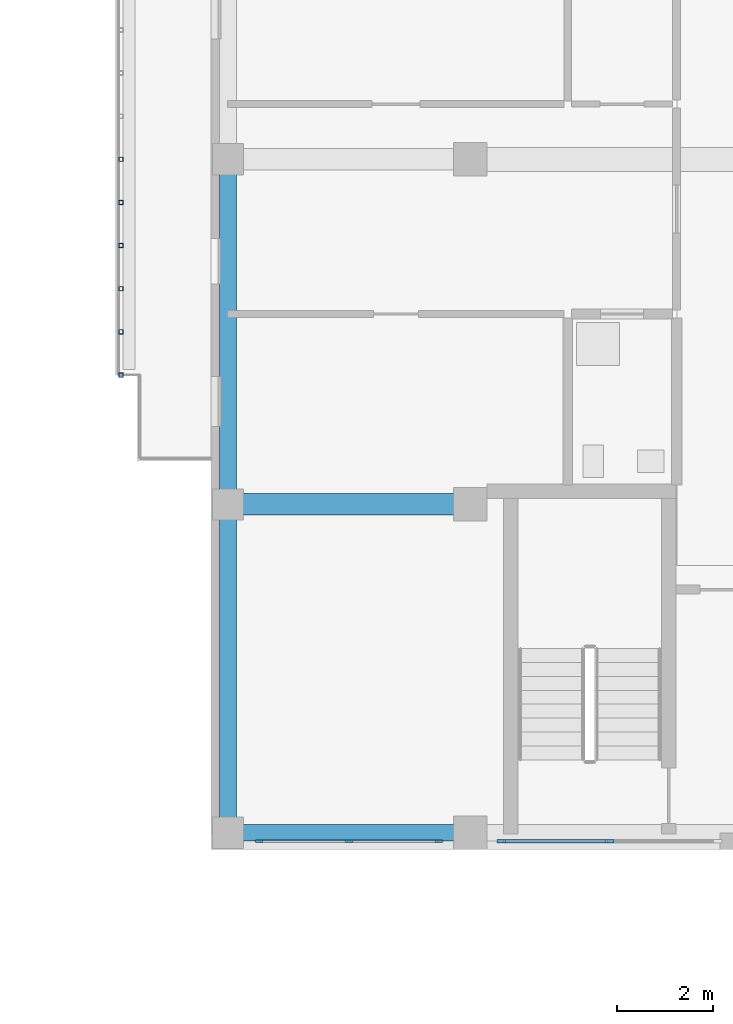
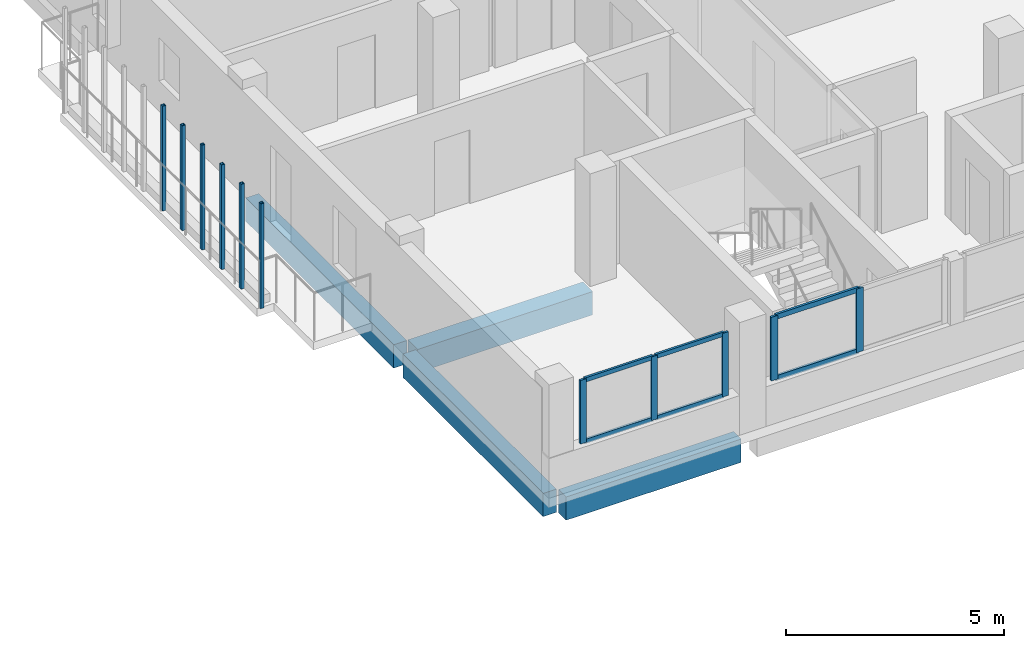
# One storey, part 17 of 56: 17 members, 4 beams, 2 elements without a shape of their own.
"""IFC4 building model written with IfcOpenShell, lengths in metres."""

from ifc_helpers import new_model, si_unit, derived_unit, direction, frame, origin, origin_2d, place, context, subcontext, project, spatial, rectangle, hollow_rectangle, extrude, material, layer, layer_set, material_profile, profile_set, type_object, element, aggregate, save


model = new_model("IFC4")

# Units and contexts
model_context = context("Model", 3, precision=1e-05, world=origin(), true_north=direction((0.0, 1.0)))
body_context = subcontext(model_context, "Body", "Model", "MODEL_VIEW")
ifc_project = project(units=[si_unit("LENGTHUNIT", "METRE"), si_unit("AREAUNIT", "SQUARE_METRE"), si_unit("VOLUMEUNIT", "CUBIC_METRE"), si_unit("PLANEANGLEUNIT", "RADIAN"), si_unit("MASSUNIT", "GRAM", prefix="KILO"), derived_unit("THERMALTRANSMITTANCEUNIT", [(si_unit("MASSUNIT", "GRAM", prefix="KILO"), 1), (si_unit("TIMEUNIT", "SECOND"), -3), (si_unit("THERMODYNAMICTEMPERATUREUNIT", "KELVIN"), -1)])], contexts=[model_context])

# Site, building, storey
site_placement = place(None, origin())
site = spatial("IfcSite", under=ifc_project, at=site_placement, CompositionType="ELEMENT")
building_placement = place(site_placement, origin())
building = spatial("IfcBuilding", under=site, at=building_placement, Name="Ochrekiln Boulevard Commons", CompositionType="ELEMENT")
storey_placement = place(building_placement, frame((0.0, 0.0, 12.074951171875)))
storey = spatial("IfcBuildingStorey", under=building, at=storey_placement, Name="L03", CompositionType="ELEMENT", Elevation=12.074951171875)

# Beam
ifc_material_1 = material(Name="Concrete C35/45", Category="concrete")
ifc_material_profile_1 = material_profile(ifc_material_1, rectangle(XDim=0.449951171875, YDim=0.64990234375, at=origin_2d()), Name="RC-BM-450x650")
ifc_profile_set_1 = profile_set([ifc_material_profile_1], Name="Concrete C35/45")
beam_type_1 = type_object("IfcBeamType", Name="BM-RC-450x650", PredefinedType="BEAM", material=ifc_profile_set_1)
beam_1_placement = place(storey_placement, frame((151.760009765625, 75.60009765625, -0.5849609375), z_axis=(1.0, 0.0, 0.0), x_axis=(0.0, 1.0, 0.0)))
element("IfcBeam", 1, at=beam_1_placement, inside=storey, type_object=beam_type_1, Name="Block B L03 Beam B-4565 X4", PredefinedType="BEAM", context=body_context, shape_type="SweptSolid", body=[
    extrude(rectangle(XDim=0.449951171875, YDim=0.64990234375, at=origin_2d()), origin(), (0.0, 0.0, 1.0), 4.6298828125),
])

# Curtain wall, members
ifc_material_2 = material(Name="Bronze-anodized extruded aluminium 6063-T6", Category="aluminium")
ifc_layer = layer(ifc_material_2, 0.18408203125)
ifc_layer_set = layer_set([ifc_layer], Name="Bronze-anodized extruded aluminium 6063-T6")
curtain_wall_type = type_object("IfcCurtainWallType", Name="CW-GABLE-B", PredefinedType="USERDEFINED", material=ifc_layer_set)
curtain_wall_1_placement = place(storey_placement, origin())
curtain_wall_1 = element("IfcCurtainWall", 2, at=curtain_wall_1_placement, inside=storey, type_object=curtain_wall_type, Name="Block B L03 Courtyard Glazed Gable Curtain Wall 1", ObjectType="GLAZED CURTAIN WALL", PredefinedType="USERDEFINED")
ifc_material_profile_2 = material_profile(ifc_material_2, rectangle(XDim=0.06005859375, YDim=0.159912109375, at=origin_2d()), Name="ALU-MUL-60x160")
ifc_profile_set_2 = profile_set([ifc_material_profile_2], Name="Bronze-anodized extruded aluminium 6063-T6")
member_type_1 = type_object("IfcMemberType", Name="CWM-60x160", PredefinedType="MULLION", material=ifc_profile_set_2)
member_1_placement = place(storey_placement, frame((152.199951171875, 68.570068359375, 1.110107421875), z_axis=(0.0, 0.0, 1.0), x_axis=(0.0, 1.0, 0.0)))
member_1 = element("IfcMember", 3, at=member_1_placement, type_object=member_type_1, Name="CW-02 mullion 1", PredefinedType="MULLION", context=body_context, shape_type="SweptSolid", body=[
    extrude(rectangle(XDim=0.06005859375, YDim=0.159912109375, at=origin_2d()), origin(), (0.0, 0.0, 1.0), 1.780029296875),
])
member_2_placement = place(storey_placement, frame((154.074951171875, 68.570068359375, 1.110107421875), z_axis=(0.0, 0.0, 1.0), x_axis=(0.0, 1.0, 0.0)))
member_2 = element("IfcMember", 4, at=member_2_placement, type_object=member_type_1, Name="CW-02 mullion 2", PredefinedType="MULLION", context=body_context, shape_type="SweptSolid", body=[
    extrude(rectangle(XDim=0.06005859375, YDim=0.159912109375, at=origin_2d()), origin(), (0.0, 0.0, 1.0), 1.780029296875),
])
member_3_placement = place(storey_placement, frame((155.949951171875, 68.570068359375, 1.110107421875), z_axis=(0.0, 0.0, 1.0), x_axis=(0.0, 1.0, 0.0)))
member_3 = element("IfcMember", 5, at=member_3_placement, type_object=member_type_1, Name="CW-02 mullion 3", PredefinedType="MULLION", context=body_context, shape_type="SweptSolid", body=[
    extrude(rectangle(XDim=0.06005859375, YDim=0.159912109375, at=origin_2d()), origin(), (0.0, 0.0, 1.0), 1.780029296875),
])

curtain_wall_2_placement = place(storey_placement, origin())
curtain_wall_2 = element("IfcCurtainWall", 6, at=curtain_wall_2_placement, inside=storey, type_object=curtain_wall_type, Name="Block B L03 Courtyard Glazed Gable Curtain Wall 2", ObjectType="GLAZED CURTAIN WALL", PredefinedType="USERDEFINED")
ifc_material_profile_3 = material_profile(ifc_material_2, rectangle(XDim=0.06494140625, YDim=0.179931640625, at=origin_2d()), Name="ALU-MUL-65x180")
ifc_profile_set_3 = profile_set([ifc_material_profile_3], Name="Bronze-anodized extruded aluminium 6063-T6")
member_type_2 = type_object("IfcMemberType", Name="CWM-65x180", PredefinedType="MULLION", material=ifc_profile_set_3)
member_4_placement = place(storey_placement, frame((157.25244140625, 68.570068359375, 1.110107421875), z_axis=(0.0, 0.0, 1.0), x_axis=(0.0, 1.0, 0.0)))
member_4 = element("IfcMember", 7, at=member_4_placement, type_object=member_type_2, Name="CW-02 mullion 1", PredefinedType="MULLION", context=body_context, shape_type="SweptSolid", body=[
    extrude(rectangle(XDim=0.06494140625, YDim=0.179931640625, at=origin_2d()), origin(), (0.0, 0.0, 1.0), 1.780029296875),
])
member_5_placement = place(storey_placement, frame((159.510009765625, 68.570068359375, 1.110107421875), z_axis=(0.0, 0.0, 1.0), x_axis=(0.0, 1.0, 0.0)))
member_5 = element("IfcMember", 8, at=member_5_placement, type_object=member_type_2, Name="CW-02 mullion 2", PredefinedType="MULLION", context=body_context, shape_type="SweptSolid", body=[
    extrude(rectangle(XDim=0.06494140625, YDim=0.179931640625, at=origin_2d()), origin(), (0.0, 0.0, 1.0), 1.780029296875),
])

# Member
ifc_material_profile_4 = material_profile(ifc_material_2, rectangle(XDim=0.06005859375, YDim=0.1201171875, at=origin_2d()), Name="ALU-TRN-60x120")
ifc_profile_set_4 = profile_set([ifc_material_profile_4], Name="Bronze-anodized extruded aluminium 6063-T6")
member_type_3 = type_object("IfcMemberType", Name="CWT-60x120", PredefinedType="USERDEFINED", material=ifc_profile_set_4)
member_6_placement = place(storey_placement, frame((152.22998046875, 68.570068359375, 1.14013671875), z_axis=(1.0, 0.0, 0.0), x_axis=(0.0, 1.0, 0.0)))
member_6 = element("IfcMember", 9, at=member_6_placement, type_object=member_type_3, Name="CW-02 transom 1.1", ObjectType="TRANSOM", PredefinedType="USERDEFINED", context=body_context, shape_type="SweptSolid", body=[
    extrude(rectangle(XDim=0.06005859375, YDim=0.1201171875, at=origin_2d()), origin(), (0.0, 0.0, 1.0), 1.81494140625),
])

member_7_placement = place(storey_placement, frame((152.22998046875, 68.570068359375, 2.860107421875), z_axis=(1.0, 0.0, 0.0), x_axis=(0.0, 1.0, 0.0)))
member_7 = element("IfcMember", 10, at=member_7_placement, type_object=member_type_3, Name="CW-02 transom 1.2", ObjectType="TRANSOM", PredefinedType="USERDEFINED", context=body_context, shape_type="SweptSolid", body=[
    extrude(rectangle(XDim=0.06005859375, YDim=0.1201171875, at=origin_2d()), origin(), (0.0, 0.0, 1.0), 1.81494140625),
])

member_8_placement = place(storey_placement, frame((154.10498046875, 68.570068359375, 1.14013671875), z_axis=(1.0, 0.0, 0.0), x_axis=(0.0, 1.0, 0.0)))
member_8 = element("IfcMember", 11, at=member_8_placement, type_object=member_type_3, Name="CW-02 transom 2.1", ObjectType="TRANSOM", PredefinedType="USERDEFINED", context=body_context, shape_type="SweptSolid", body=[
    extrude(rectangle(XDim=0.06005859375, YDim=0.1201171875, at=origin_2d()), origin(), (0.0, 0.0, 1.0), 1.81494140625),
])

member_9_placement = place(storey_placement, frame((154.10498046875, 68.570068359375, 2.860107421875), z_axis=(1.0, 0.0, 0.0), x_axis=(0.0, 1.0, 0.0)))
member_9 = element("IfcMember", 12, at=member_9_placement, type_object=member_type_3, Name="CW-02 transom 2.2", ObjectType="TRANSOM", PredefinedType="USERDEFINED", context=body_context, shape_type="SweptSolid", body=[
    extrude(rectangle(XDim=0.06005859375, YDim=0.1201171875, at=origin_2d()), origin(), (0.0, 0.0, 1.0), 1.81494140625),
])

aggregate(curtain_wall_1, [member_1, member_2, member_3, member_6, member_7, member_8, member_9])

ifc_material_profile_5 = material_profile(ifc_material_2, rectangle(XDim=0.06494140625, YDim=0.139892578125, at=origin_2d()), Name="ALU-TRN-65x140")
ifc_profile_set_5 = profile_set([ifc_material_profile_5], Name="Bronze-anodized extruded aluminium 6063-T6")
member_type_4 = type_object("IfcMemberType", Name="CWT-65x140", PredefinedType="USERDEFINED", material=ifc_profile_set_5)
member_10_placement = place(storey_placement, frame((157.284912109375, 68.570068359375, 1.142578125), z_axis=(1.0, 0.0, 0.0), x_axis=(0.0, 1.0, 0.0)))
member_10 = element("IfcMember", 13, at=member_10_placement, type_object=member_type_4, Name="CW-02 transom 1.1", ObjectType="TRANSOM", PredefinedType="USERDEFINED", context=body_context, shape_type="SweptSolid", body=[
    extrude(rectangle(XDim=0.06494140625, YDim=0.139892578125, at=origin_2d()), origin(), (0.0, 0.0, 1.0), 2.192626953125),
])

member_11_placement = place(storey_placement, frame((157.284912109375, 68.570068359375, 2.857666015625), z_axis=(1.0, 0.0, 0.0), x_axis=(0.0, 1.0, 0.0)))
member_11 = element("IfcMember", 14, at=member_11_placement, type_object=member_type_4, Name="CW-02 transom 1.2", ObjectType="TRANSOM", PredefinedType="USERDEFINED", context=body_context, shape_type="SweptSolid", body=[
    extrude(rectangle(XDim=0.06494140625, YDim=0.139892578125, at=origin_2d()), origin(), (0.0, 0.0, 1.0), 2.192626953125),
])

aggregate(curtain_wall_2, [member_4, member_5, member_10, member_11])

# Members
ifc_material_3 = material(Name="Steel A500 Grade C", Category="steel")
ifc_material_profile_6 = material_profile(ifc_material_3, hollow_rectangle(XDim=0.090087890625, YDim=0.090087890625, WallThickness=0.00634765625, at=origin_2d()), Name="HSS90X90X6.4")
ifc_profile_set_6 = profile_set([ifc_material_profile_6], Name="Steel A500 Grade C")
member_type_5 = type_object("IfcMemberType", Name="MEM-PST-HSS90", PredefinedType="POST", material=ifc_profile_set_6)
for number, where, z_axis, x_axis, name in (
    (15, (149.320068359375, 78.300048828125, 0.0), (0.0, 0.0, 1.0), (1.0, 0.0, 0.0), "Block B L03 Slim Vertical Balcony Post (199)"),
    (16, (149.320068359375, 79.199951171875, 0.0), (0.0, 0.0, 1.0), (1.0, 0.0, 0.0), "Block B L03 Slim Vertical Balcony Post (200)"),
    (17, (149.320068359375, 80.10009765625, 0.0), (0.0, 0.0, 1.0), (1.0, 0.0, 0.0), "Block B L03 Slim Vertical Balcony Post (201)"),
    (18, (149.320068359375, 81.0, 0.0), (0.0, 0.0, 1.0), (1.0, 0.0, 0.0), "Block B L03 Slim Vertical Balcony Post (202)"),
    (19, (149.320068359375, 81.89990234375, 0.0), (0.0, 0.0, 1.0), (1.0, 0.0, 0.0), "Block B L03 Slim Vertical Balcony Post (203)"),
    (20, (149.320068359375, 82.800048828125, 0.0), (0.0, 0.0, 1.0), (1.0, 0.0, 0.0), "Block B L03 Slim Vertical Balcony Post (204)"),
):
    element("IfcMember", number, at=place(storey_placement, frame(where, z_axis=z_axis, x_axis=x_axis)), inside=storey, type_object=member_type_5, Name=name, PredefinedType="POST", context=body_context, shape_type="SweptSolid", body=[
        extrude(hollow_rectangle(XDim=0.090087890625, YDim=0.090087890625, WallThickness=0.00634765625, at=origin_2d()), origin(), (0.0, 0.0, 1.0), 2.929931640625),
    ])

# Beams
ifc_material_4 = material(Name="Concrete C40/50", Category="concrete")
ifc_material_profile_7 = material_profile(ifc_material_4, rectangle(XDim=0.35009765625, YDim=0.64990234375, at=origin_2d()), Name="RC-SPN-350x650")
ifc_profile_set_7 = profile_set([ifc_material_profile_7], Name="Concrete C40/50")
beam_type_2 = type_object("IfcBeamType", Name="SPN-RC-350x650", PredefinedType="SPANDREL", material=ifc_profile_set_7)
beam_2_placement = place(storey_placement, frame((151.760009765625, 68.75, -0.5849609375), z_axis=(1.0, 0.0, 0.0), x_axis=(0.0, 1.0, 0.0)))
element("IfcBeam", 21, at=beam_2_placement, inside=storey, type_object=beam_type_2, Name="Block B L03 Beam SP-3565 X1", PredefinedType="SPANDREL", context=body_context, shape_type="SweptSolid", body=[
    extrude(rectangle(XDim=0.35009765625, YDim=0.64990234375, at=origin_2d()), origin(), (0.0, 0.0, 1.0), 4.6298828125),
])
beam_3_placement = place(storey_placement, frame((151.550048828125, 68.9599609375, -0.5849609375), z_axis=(0.0, 1.0, 0.0), x_axis=(-1.0, 0.0, 0.0)))
element("IfcBeam", 22, at=beam_3_placement, inside=storey, type_object=beam_type_2, Name="Block B L03 Beam SP-3565 Y23", PredefinedType="SPANDREL", context=body_context, shape_type="SweptSolid", body=[
    extrude(rectangle(XDim=0.35009765625, YDim=0.64990234375, at=origin_2d()), origin(), (0.0, 0.0, 1.0), 6.429931640625),
])
beam_4_placement = place(storey_placement, frame((151.550048828125, 75.81005859375, -0.5849609375), z_axis=(0.0, 1.0, 0.0), x_axis=(-1.0, 0.0, 0.0)))
element("IfcBeam", 23, at=beam_4_placement, inside=storey, type_object=beam_type_2, Name="Block B L03 Beam SP-3565 Y24", PredefinedType="SPANDREL", context=body_context, shape_type="SweptSolid", body=[
    extrude(rectangle(XDim=0.35009765625, YDim=0.64990234375, at=origin_2d()), origin(), (0.0, 0.0, 1.0), 6.780029296875),
])

save(model, "model.ifc")
